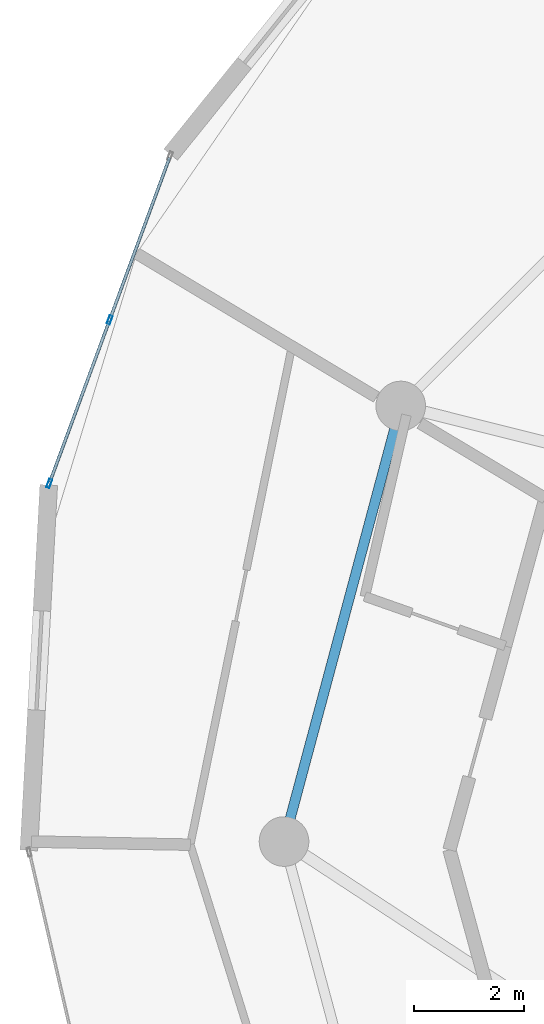
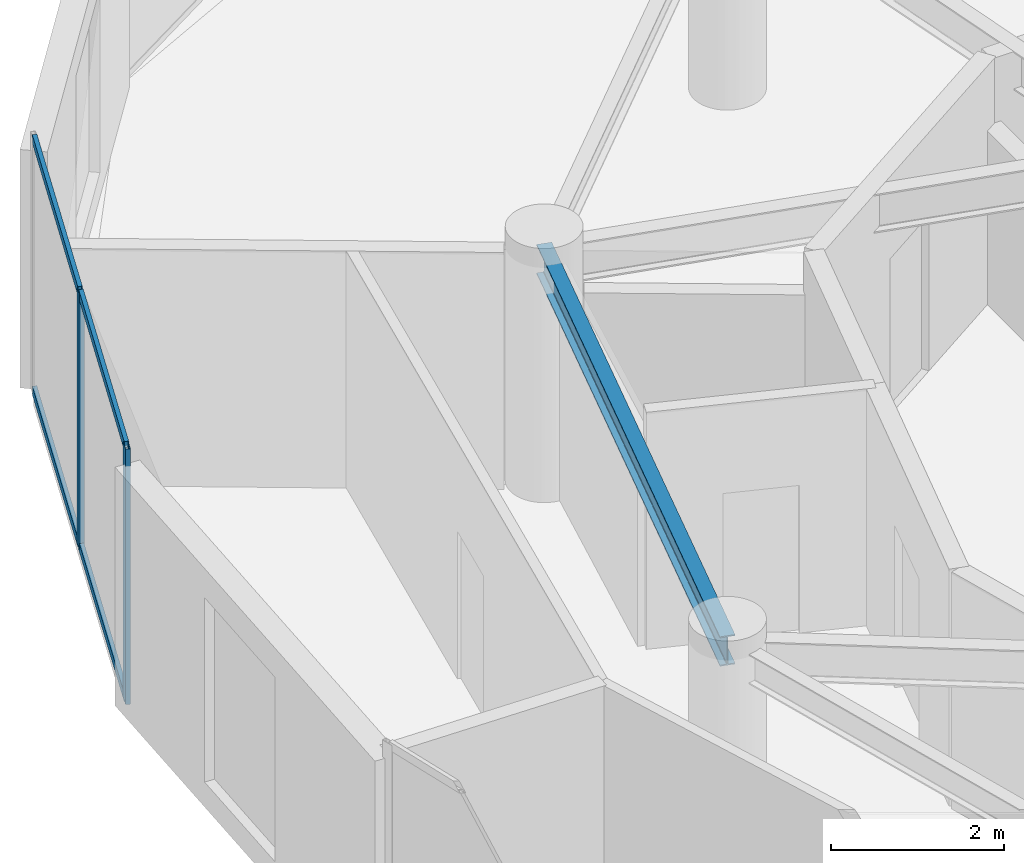
# One storey, part 9 of 21: 6 members, 1 beam, 1 element without a shape of its own.
"""IFC4 building model written with IfcOpenShell, lengths in metres."""

from ifc_helpers import new_model, si_unit, direction, frame, origin, origin_2d, place, context, subcontext, project, spatial, hollow_rectangle, i_section, extrude, source, transform, mapped, material, layer, layer_set, material_profile, profile_set, type_object, element, aggregate, save


model = new_model("IFC4")

# Units and contexts
model_context = context("Model", 3, precision=1e-05, world=origin(), true_north=direction((0.0, 1.0)))
body_context = subcontext(model_context, "Body", "Model", "MODEL_VIEW")
ifc_project = project(units=[si_unit("LENGTHUNIT", "METRE"), si_unit("AREAUNIT", "SQUARE_METRE"), si_unit("VOLUMEUNIT", "CUBIC_METRE"), si_unit("PLANEANGLEUNIT", "RADIAN"), si_unit("MASSUNIT", "GRAM", prefix="KILO")], contexts=[model_context])

# Site, building, storey
site_placement = place(None, origin())
site = spatial("IfcSite", under=ifc_project, at=site_placement, CompositionType="ELEMENT")
building_placement = place(site_placement, origin())
building = spatial("IfcBuilding", under=site, at=building_placement, Name="Solvirekh Grand Hotel", CompositionType="ELEMENT")
storey_placement = place(building_placement, frame((0.0, 0.0, 216.39990234375)))
storey = spatial("IfcBuildingStorey", under=building, at=storey_placement, Name="L56", CompositionType="ELEMENT", Elevation=216.39990234375)

# Beam
ifc_material_1 = material(Name="Steel S355", Category="steel")
ifc_material_profile_1 = material_profile(ifc_material_1, i_section(OverallWidth=0.180908203125, OverallDepth=0.4169921875, WebThickness=0.010009765625, FlangeThickness=0.01611328125, FilletRadius=0.011962890625, at=origin_2d()), Name="W410X85")
ifc_profile_set_1 = profile_set([ifc_material_profile_1], Name="Steel S355")
beam_type = type_object("IfcBeamType", Name="Spandrel_Ring_W410", PredefinedType="SPANDREL", material=ifc_profile_set_1)
beam_placement = place(storey_placement, frame((-13.68310546875, 7.89990234375, 3.152099609375), z_axis=(-0.258838541915, -0.965920601923, 0.0), x_axis=(0.965920601923, -0.258838541915, 0.0)))
element("IfcBeam", 1, at=beam_placement, inside=storey, type_object=beam_type, Name="L56 perimeter spandrel beam 6", PredefinedType="SPANDREL", context=body_context, shape_type="SweptSolid", body=[
    extrude(i_section(OverallWidth=0.180908203125, OverallDepth=0.4169921875, WebThickness=0.010009765625, FlangeThickness=0.01611328125, FilletRadius=0.011962890625, at=origin_2d()), origin(), (0.0, 0.0, 1.0), 8.1787109375),
])

# Curtain wall, members
ifc_material_2 = material(Name="Anodized Bronze Aluminium 6063-T6", Category="aluminium")
ifc_layer = layer(ifc_material_2, 0.159912109375)
ifc_layer_set = layer_set([ifc_layer], Name="Anodized Bronze Aluminium 6063-T6")
curtain_wall_type = type_object("IfcCurtainWallType", Name="CW_Sys4_HighZoneFlushBronzeCW", PredefinedType="NOTDEFINED", material=ifc_layer_set)
curtain_wall_placement = place(storey_placement, origin())
curtain_wall = element("IfcCurtainWall", 2, at=curtain_wall_placement, inside=storey, type_object=curtain_wall_type, Name="L56 unitised bronze-glass curtain wall CW-L56-C13", PredefinedType="NOTDEFINED")
ifc_material_profile_2 = material_profile(ifc_material_2, hollow_rectangle(XDim=0.06005859375, YDim=0.159912109375, WallThickness=0.0048828125, at=origin_2d()), Name="ALU RHS 160X60X5")
ifc_profile_set_2 = profile_set([ifc_material_profile_2], Name="Anodized Bronze Aluminium 6063-T6")
member_type_1 = type_object("IfcMemberType", Name="CWMullion_Sys4", PredefinedType="MULLION", material=ifc_profile_set_2)
shared_shape_1 = source(origin(), body_context, "Body", "SweptSolid", [
    extrude(hollow_rectangle(XDim=0.06005859375, YDim=0.159912109375, WallThickness=0.0048828125, at=origin_2d()), origin(), (0.0, 0.0, 1.0), 3.60009765625),
])
member_1_placement = place(storey_placement, frame((-18.9619140625, 9.462890625, 0.0), z_axis=(0.0, 0.0, 1.0), x_axis=(0.938155923947, -0.34621303032, 0.0)))
member_1 = element("IfcMember", 3, at=member_1_placement, type_object=member_type_1, Name="U04 mullion 2", PredefinedType="MULLION", context=body_context, shape_type="MappedRepresentation", body=[
    mapped(shared_shape_1, transform((0.0, 0.0, 0.0), x_axis=(1.0, 0.0, 0.0), y_axis=(0.0, 1.0, 0.0), z_axis=(0.0, 0.0, 1.0), scale=1.0)),
])
member_2_placement = place(storey_placement, frame((-20.0576171875, 6.494140625, 0.0), z_axis=(0.0, 0.0, 1.0), x_axis=(0.938155923947, -0.34621303032, 0.0)))
member_2 = element("IfcMember", 4, at=member_2_placement, type_object=member_type_1, Name="U04 mullion 3", PredefinedType="MULLION", context=body_context, shape_type="MappedRepresentation", body=[
    mapped(shared_shape_1, transform((0.0, 0.0, 0.0), x_axis=(1.0, 0.0, 0.0), y_axis=(0.0, 1.0, 0.0), z_axis=(0.0, 0.0, 1.0), scale=1.0)),
])
ifc_material_profile_3 = material_profile(ifc_material_2, hollow_rectangle(XDim=0.054931640625, YDim=0.1201171875, WallThickness=0.00390625, at=origin_2d()), Name="ALU RHS 120X55X4")
ifc_profile_set_3 = profile_set([ifc_material_profile_3], Name="Anodized Bronze Aluminium 6063-T6")
member_type_2 = type_object("IfcMemberType", Name="CWTransom_Sys4", PredefinedType="USERDEFINED", material=ifc_profile_set_3)
shared_shape_2 = source(origin(), body_context, "Body", "SweptSolid", [
    extrude(hollow_rectangle(XDim=0.054931640625, YDim=0.1201171875, WallThickness=0.00390625, at=origin_2d()), origin(), (0.0, 0.0, 1.0), 3.1044921875),
])
member_3_placement = place(storey_placement, frame((-18.972412109375, 9.434814453125, 0.027587890625), z_axis=(-0.346171783558, -0.938171144445, 0.0), x_axis=(0.938171144445, -0.346171783558, 0.0)))
member_3 = element("IfcMember", 5, at=member_3_placement, type_object=member_type_2, Name="U04 transom 2.1", ObjectType="TRANSOM", PredefinedType="USERDEFINED", context=body_context, shape_type="MappedRepresentation", body=[
    mapped(shared_shape_2, transform((0.0, 0.0, 0.0), x_axis=(1.0, 0.0, 0.0), y_axis=(0.0, 1.0, 0.0), z_axis=(0.0, 0.0, 1.0), scale=1.0)),
])
member_4_placement = place(storey_placement, frame((-18.972412109375, 9.434814453125, 3.572509765625), z_axis=(-0.346171783558, -0.938171144445, 0.0), x_axis=(0.938171144445, -0.346171783558, 0.0)))
member_4 = element("IfcMember", 6, at=member_4_placement, type_object=member_type_2, Name="U04 transom 2.2", ObjectType="TRANSOM", PredefinedType="USERDEFINED", context=body_context, shape_type="MappedRepresentation", body=[
    mapped(shared_shape_2, transform((0.0, 0.0, 0.0), x_axis=(1.0, 0.0, 0.0), y_axis=(0.0, 1.0, 0.0), z_axis=(0.0, 0.0, 1.0), scale=1.0)),
])
shared_shape_3 = source(origin(), body_context, "Body", "SweptSolid", [
    extrude(hollow_rectangle(XDim=0.054931640625, YDim=0.1201171875, WallThickness=0.00390625, at=origin_2d()), origin(), (0.0, 0.0, 1.0), 3.104736328125),
])
member_5_placement = place(storey_placement, frame((-17.876708984375, 12.40380859375, 0.027587890625), z_axis=(-0.346240996615, -0.938145602912, 0.0), x_axis=(0.938145602912, -0.346240996615, 0.0)))
member_5 = element("IfcMember", 7, at=member_5_placement, type_object=member_type_2, Name="U04 transom 1.1", ObjectType="TRANSOM", PredefinedType="USERDEFINED", context=body_context, shape_type="MappedRepresentation", body=[
    mapped(shared_shape_3, transform((0.0, 0.0, 0.0), x_axis=(1.0, 0.0, 0.0), y_axis=(0.0, 1.0, 0.0), z_axis=(0.0, 0.0, 1.0), scale=1.0)),
])
member_6_placement = place(storey_placement, frame((-17.876708984375, 12.40380859375, 3.572509765625), z_axis=(-0.346240996615, -0.938145602912, 0.0), x_axis=(0.938145602912, -0.346240996615, 0.0)))
member_6 = element("IfcMember", 8, at=member_6_placement, type_object=member_type_2, Name="U04 transom 1.2", ObjectType="TRANSOM", PredefinedType="USERDEFINED", context=body_context, shape_type="MappedRepresentation", body=[
    mapped(shared_shape_3, transform((0.0, 0.0, 0.0), x_axis=(1.0, 0.0, 0.0), y_axis=(0.0, 1.0, 0.0), z_axis=(0.0, 0.0, 1.0), scale=1.0)),
])
aggregate(curtain_wall, [member_1, member_2, member_5, member_6, member_3, member_4])

save(model, "model.ifc")
